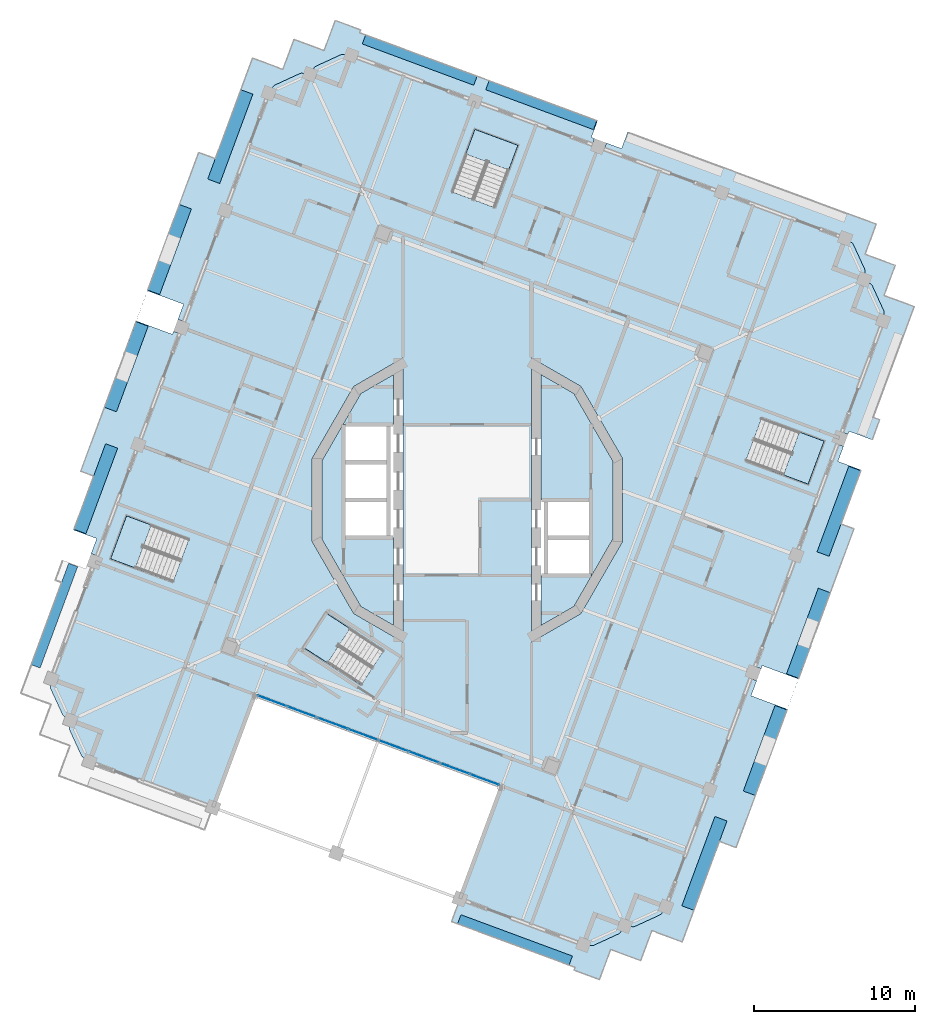
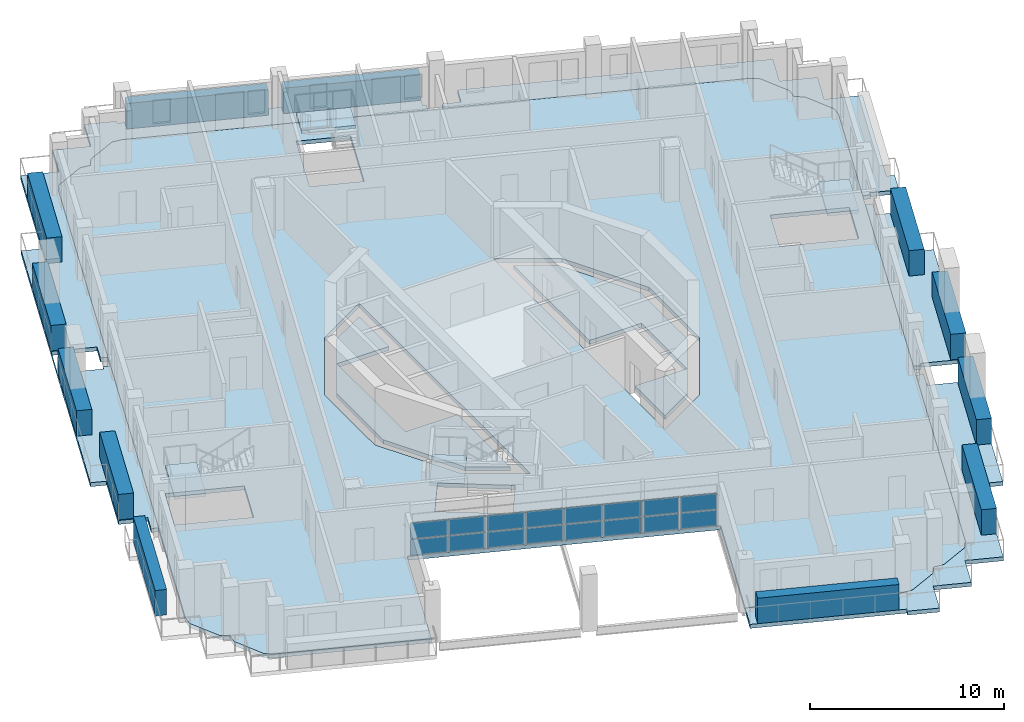
# One storey, part 4 of 19: 28 plates, 10 slabs, 5 elements without a shape of their own.
"""IFC4 building model written with IfcOpenShell, lengths in metres."""

from ifc_helpers import new_model, si_unit, direction, frame, origin, origin_2d, place, context, subcontext, project, spatial, polyline, rectangle, outline, extrude, material, layer, layer_set, type_object, element, aggregate, save


model = new_model("IFC4")

# Units and contexts
model_context = context("Model", 3, precision=1e-05, world=origin(), true_north=direction((0.0, 1.0)))
body_context = subcontext(model_context, "Body", "Model", "MODEL_VIEW")
ifc_project = project(units=[si_unit("LENGTHUNIT", "METRE"), si_unit("AREAUNIT", "SQUARE_METRE"), si_unit("VOLUMEUNIT", "CUBIC_METRE"), si_unit("PLANEANGLEUNIT", "RADIAN"), si_unit("MASSUNIT", "GRAM", prefix="KILO")], contexts=[model_context])

# Site, building, storey
site_placement = place(None, origin())
site = spatial("IfcSite", under=ifc_project, at=site_placement, CompositionType="ELEMENT")
building_placement = place(site_placement, origin())
building = spatial("IfcBuilding", under=site, at=building_placement, Name="Cantera Rosa Tower", CompositionType="ELEMENT")
storey_placement = place(building_placement, frame((0.0, 0.0, 324.10009765625)))
storey = spatial("IfcBuildingStorey", under=building, at=storey_placement, Name="L72", CompositionType="ELEMENT", Elevation=324.10009765625)

# Slabs
ifc_material_1 = material(Name="Concrete C35/45", Category="concrete")
ifc_layer_1 = layer(ifc_material_1, 0.25)
ifc_layer_set_1 = layer_set([ifc_layer_1], Name="COMPOSITE FLOOR SLAB 250 C35/45")
slab_type_1 = type_object("IfcSlabType", Name="COMPOSITE FLOOR SLAB 250 C35/45", PredefinedType="FLOOR", material=ifc_layer_set_1)
slab_1_placement = place(storey_placement, frame((0.0, 0.0, -0.25)))
element("IfcSlab", 1, at=slab_1_placement, inside=storey, type_object=slab_type_1, Name="SLAB L72 floor 1", PredefinedType="FLOOR", context=body_context, shape_type="SweptSolid", body=[
    extrude(outline(polyline([(-7.699951171875, -2.35009765625), (-4.60009765625, -2.35009765625), (-4.60009765625, -7.804931640625), (-6.6318359375, -6.6318359375), (-9.059326171875, -2.427490234375), (-9.059326171875, 2.427490234375), (-6.6318359375, 6.6318359375), (-4.60009765625, 7.804931640625), (-4.60009765625, 4.699951171875), (-7.699951171875, 4.699951171875), (-7.699951171875, 2.35009765625), (-7.699951171875, 0.0), (-7.699951171875, -2.35009765625)])), origin(), (0.0, 0.0, 1.0), 0.25),
])
slab_2_placement = place(storey_placement, frame((0.0, 0.0, -0.25)))
element("IfcSlab", 2, at=slab_2_placement, inside=storey, type_object=slab_type_1, Name="SLAB L72 floor 2", PredefinedType="FLOOR", context=body_context, shape_type="SweptSolid", body=[
    extrude(outline(polyline([(-0.45947265625, -24.838134765625), (2.146728515625, -17.805419921875), (-13.2314453125, -12.106689453125), (-15.83740234375, -19.139404296875), (-23.526611328125, -16.2900390625), (-23.919677734375, -16.031494140625), (-23.944091796875, -16.014892578125), (-23.966552734375, -15.99609375), (-23.987060546875, -15.974853515625), (-24.005615234375, -15.951904296875), (-24.021484375, -15.92724609375), (-24.03515625, -15.901123046875), (-24.743408203125, -14.35888671875), (-24.75439453125, -14.331787109375), (-24.7626953125, -14.303466796875), (-24.76806640625, -14.2744140625), (-24.7705078125, -14.2451171875), (-24.770263671875, -14.2158203125), (-24.76708984375, -14.186279296875), (-24.706787109375, -13.7197265625), (-25.10009765625, -13.461181640625), (-25.12451171875, -13.444580078125), (-25.14697265625, -13.42578125), (-25.16748046875, -13.404541015625), (-25.18603515625, -13.381591796875), (-25.201904296875, -13.35693359375), (-25.215576171875, -13.330810546875), (-25.923828125, -11.788818359375), (-25.934814453125, -11.76123046875), (-25.943115234375, -11.733154296875), (-25.948486328125, -11.7041015625), (-25.950927734375, -11.6748046875), (-25.95068359375, -11.6455078125), (-25.947509765625, -11.6162109375), (-25.88720703125, -11.1494140625), (-12.733154296875, 24.347412109375), (-12.370361328125, 25.32666015625), (-12.11181640625, 25.7197265625), (-12.09521484375, 25.744140625), (-12.076171875, 25.7666015625), (-12.05517578125, 25.787353515625), (-12.0322265625, 25.8056640625), (-12.007568359375, 25.82177734375), (-11.9814453125, 25.835205078125), (-10.439208984375, 26.543701171875), (-10.411865234375, 26.554443359375), (-10.383544921875, 26.562744140625), (-10.354736328125, 26.568115234375), (-10.325439453125, 26.57080078125), (-10.2958984375, 26.5703125), (-10.2666015625, 26.567138671875), (-9.800048828125, 26.507080078125), (-9.54150390625, 26.900146484375), (-9.52490234375, 26.924560546875), (-9.505859375, 26.947021484375), (-9.48486328125, 26.9677734375), (-9.4619140625, 26.986083984375), (-9.437255859375, 27.002197265625), (-9.4111328125, 27.015625), (-7.868896484375, 27.72412109375), (-7.841552734375, 27.735107421875), (-7.813232421875, 27.7431640625), (-7.784423828125, 27.74853515625), (-7.7548828125, 27.751220703125), (-7.7255859375, 27.750732421875), (-7.6962890625, 27.74755859375), (-7.2294921875, 27.6875), (-6.25048828125, 27.32470703125), (23.526611328125, 16.2900390625), (23.919677734375, 16.031494140625), (23.944091796875, 16.014892578125), (23.966552734375, 15.99609375), (23.987060546875, 15.974853515625), (24.005615234375, 15.951904296875), (24.021484375, 15.92724609375), (24.03515625, 15.901123046875), (24.743408203125, 14.35888671875), (24.75439453125, 14.331787109375), (24.7626953125, 14.303466796875), (24.76806640625, 14.2744140625), (24.7705078125, 14.2451171875), (24.770263671875, 14.2158203125), (24.76708984375, 14.186279296875), (24.706787109375, 13.7197265625), (25.10009765625, 13.461181640625), (25.12451171875, 13.444580078125), (25.14697265625, 13.42578125), (25.16748046875, 13.404541015625), (25.18603515625, 13.381591796875), (25.201904296875, 13.35693359375), (25.215576171875, 13.330810546875), (25.923828125, 11.788818359375), (25.934814453125, 11.76123046875), (25.943115234375, 11.733154296875), (25.948486328125, 11.7041015625), (25.950927734375, 11.6748046875), (25.95068359375, 11.6455078125), (25.947509765625, 11.6162109375), (25.88720703125, 11.1494140625), (12.733154296875, -24.347412109375), (12.370361328125, -25.32666015625), (12.11181640625, -25.7197265625), (12.09521484375, -25.744140625), (12.076171875, -25.7666015625), (12.05517578125, -25.787353515625), (12.0322265625, -25.8056640625), (12.007568359375, -25.82177734375), (11.9814453125, -25.835205078125), (10.439208984375, -26.543701171875), (10.411865234375, -26.554443359375), (10.383544921875, -26.562744140625), (10.354736328125, -26.568115234375), (10.325439453125, -26.57080078125), (10.2958984375, -26.5703125), (10.2666015625, -26.567138671875), (9.800048828125, -26.507080078125), (9.54150390625, -26.900146484375), (9.52490234375, -26.924560546875), (9.505859375, -26.947021484375), (9.48486328125, -26.9677734375), (9.4619140625, -26.986083984375), (9.437255859375, -27.002197265625), (9.4111328125, -27.015625), (7.868896484375, -27.72412109375), (7.841552734375, -27.735107421875), (7.813232421875, -27.7431640625), (7.784423828125, -27.74853515625), (7.7548828125, -27.751220703125), (7.7255859375, -27.750732421875), (7.6962890625, -27.74755859375), (7.2294921875, -27.6875), (6.25048828125, -27.32470703125), (-0.45947265625, -24.838134765625)]), holes=[polyline([(-5.2158203125, -9.368408203125), (-8.581298828125, -7.1826171875), (-9.97021484375, -9.3212890625), (-6.6044921875, -11.507080078125), (-5.2158203125, -9.368408203125)]), polyline([(-17.335693359375, -2.427490234375), (-21.2158203125, -0.989501953125), (-22.206298828125, -3.662109375), (-18.325927734375, -5.099853515625), (-17.335693359375, -2.427490234375)]), polyline([(-7.071044921875, 7.071044921875), (-9.6591796875, 2.588134765625), (-9.6591796875, -2.588134765625), (-7.071044921875, -7.071044921875), (-4.0, -8.843994140625), (-4.0, 8.843994140625), (-7.071044921875, 7.071044921875)]), polyline([(7.071044921875, -7.071044921875), (9.6591796875, -2.588134765625), (9.6591796875, 2.588134765625), (7.071044921875, 7.071044921875), (4.0, 8.843994140625), (4.0, -8.843994140625), (7.071044921875, -7.071044921875)]), polyline([(21.2158203125, 0.989501953125), (22.206298828125, 3.662109375), (18.325927734375, 5.099853515625), (17.335693359375, 2.427490234375), (21.2158203125, 0.989501953125)]), polyline([(1.70654296875, 18.203369140625), (3.14453125, 22.08349609375), (0.47216796875, 23.07373046875), (-0.9658203125, 19.193603515625), (1.70654296875, 18.203369140625)])]), origin(), (0.0, 0.0, 1.0), 0.25),
])
slab_3_placement = place(storey_placement, frame((0.0, 0.0, -0.25)))
element("IfcSlab", 3, at=slab_3_placement, inside=storey, type_object=slab_type_1, Name="SLAB L72 floor 3", PredefinedType="FLOOR", context=body_context, shape_type="SweptSolid", body=[
    extrude(outline(polyline([(7.699951171875, -2.35009765625), (7.699951171875, 0.0), (4.60009765625, 0.0), (4.60009765625, 7.804931640625), (6.6318359375, 6.6318359375), (9.059326171875, 2.427490234375), (9.059326171875, -2.427490234375), (6.6318359375, -6.6318359375), (4.60009765625, -7.804931640625), (4.60009765625, -4.699951171875), (7.699951171875, -4.699951171875), (7.699951171875, -2.35009765625)])), origin(), (0.0, 0.0, 1.0), 0.25),
])

# Curtain wall, plates
ifc_material_2 = material(Name="Aluminium frame with clear glass", Category="aluminium")
curtain_wall_type = type_object("IfcCurtainWallType", Name="CW1 TERRACE POCKET GLAZING", PredefinedType="NOTDEFINED", material=ifc_material_2)
curtain_wall_placement = place(storey_placement, origin())
curtain_wall = element("IfcCurtainWall", 4, at=curtain_wall_placement, inside=storey, type_object=curtain_wall_type, Name="CW1 CW1", PredefinedType="NOTDEFINED")
ifc_material_3 = material(Name="Aluminium frame with clear glass", Category="aluminium")
ifc_layer_2 = layer(ifc_material_3, 0.028076171875)
ifc_layer_set_2 = layer_set([ifc_layer_2], Name="CW-PANEL POCKET")
plate_type_1 = type_object("IfcPlateType", Name="CW-PANEL POCKET", PredefinedType="CURTAIN_PANEL", material=ifc_layer_set_2)
plate_1_placement = place(storey_placement, frame((-12.153564453125, -12.506103515625, 0.059814453125), z_axis=(0.0, 0.0, 1.0), x_axis=(0.937686936924, -0.347481234489, 0.0)))
plate_1 = element("IfcPlate", 5, at=plate_1_placement, type_object=plate_type_1, Name="CW1 panel 1.1", PredefinedType="CURTAIN_PANEL", context=body_context, shape_type="SweptSolid", body=[
    extrude(rectangle(XDim=1.9287109375, YDim=0.028076171875, at=origin_2d()), origin(), (0.0, 0.0, 1.0), 0.97900390625),
])
plate_2_placement = place(storey_placement, frame((-12.153564453125, -12.506103515625, 1.098876953125), z_axis=(0.0, 0.0, 1.0), x_axis=(0.937686936924, -0.347481234489, 0.0)))
plate_2 = element("IfcPlate", 6, at=plate_2_placement, type_object=plate_type_1, Name="CW1 panel 1.2", PredefinedType="CURTAIN_PANEL", context=body_context, shape_type="SweptSolid", body=[
    extrude(rectangle(XDim=1.9287109375, YDim=0.028076171875, at=origin_2d()), origin(), (0.0, 0.0, 1.0), 0.97900390625),
])
plate_3_placement = place(storey_placement, frame((-10.274658203125, -13.202392578125, 0.059814453125), z_axis=(0.0, 0.0, 1.0), x_axis=(0.937686936924, -0.347481234489, 0.0)))
plate_3 = element("IfcPlate", 7, at=plate_3_placement, type_object=plate_type_1, Name="CW1 panel 2.1", PredefinedType="CURTAIN_PANEL", context=body_context, shape_type="SweptSolid", body=[
    extrude(rectangle(XDim=1.958740234375, YDim=0.028076171875, at=origin_2d()), origin(), (0.0, 0.0, 1.0), 0.97900390625),
])
plate_4_placement = place(storey_placement, frame((-10.274658203125, -13.202392578125, 1.098876953125), z_axis=(0.0, 0.0, 1.0), x_axis=(0.937686936924, -0.347481234489, 0.0)))
plate_4 = element("IfcPlate", 8, at=plate_4_placement, type_object=plate_type_1, Name="CW1 panel 2.2", PredefinedType="CURTAIN_PANEL", context=body_context, shape_type="SweptSolid", body=[
    extrude(rectangle(XDim=1.958740234375, YDim=0.028076171875, at=origin_2d()), origin(), (0.0, 0.0, 1.0), 0.97900390625),
])
plate_5_placement = place(storey_placement, frame((-8.3818359375, -13.90380859375, 0.059814453125), z_axis=(0.0, 0.0, 1.0), x_axis=(0.937686936924, -0.347481234489, 0.0)))
plate_5 = element("IfcPlate", 9, at=plate_5_placement, type_object=plate_type_1, Name="CW1 panel 3.1", PredefinedType="CURTAIN_PANEL", context=body_context, shape_type="SweptSolid", body=[
    extrude(rectangle(XDim=1.958740234375, YDim=0.028076171875, at=origin_2d()), origin(), (0.0, 0.0, 1.0), 0.97900390625),
])
plate_6_placement = place(storey_placement, frame((-8.3818359375, -13.90380859375, 1.098876953125), z_axis=(0.0, 0.0, 1.0), x_axis=(0.937686936924, -0.347481234489, 0.0)))
plate_6 = element("IfcPlate", 10, at=plate_6_placement, type_object=plate_type_1, Name="CW1 panel 3.2", PredefinedType="CURTAIN_PANEL", context=body_context, shape_type="SweptSolid", body=[
    extrude(rectangle(XDim=1.958740234375, YDim=0.028076171875, at=origin_2d()), origin(), (0.0, 0.0, 1.0), 0.97900390625),
])
plate_7_placement = place(storey_placement, frame((-6.48876953125, -14.60546875, 0.059814453125), z_axis=(0.0, 0.0, 1.0), x_axis=(0.937686936924, -0.347481234489, 0.0)))
plate_7 = element("IfcPlate", 11, at=plate_7_placement, type_object=plate_type_1, Name="CW1 panel 4.1", PredefinedType="CURTAIN_PANEL", context=body_context, shape_type="SweptSolid", body=[
    extrude(rectangle(XDim=1.958740234375, YDim=0.028076171875, at=origin_2d()), origin(), (0.0, 0.0, 1.0), 0.97900390625),
])
plate_8_placement = place(storey_placement, frame((-6.48876953125, -14.60546875, 1.098876953125), z_axis=(0.0, 0.0, 1.0), x_axis=(0.937686936924, -0.347481234489, 0.0)))
plate_8 = element("IfcPlate", 12, at=plate_8_placement, type_object=plate_type_1, Name="CW1 panel 4.2", PredefinedType="CURTAIN_PANEL", context=body_context, shape_type="SweptSolid", body=[
    extrude(rectangle(XDim=1.958740234375, YDim=0.028076171875, at=origin_2d()), origin(), (0.0, 0.0, 1.0), 0.97900390625),
])
plate_9_placement = place(storey_placement, frame((-4.595947265625, -15.306884765625, 0.059814453125), z_axis=(0.0, 0.0, 1.0), x_axis=(0.937686936924, -0.347481234489, 0.0)))
plate_9 = element("IfcPlate", 13, at=plate_9_placement, type_object=plate_type_1, Name="CW1 panel 5.1", PredefinedType="CURTAIN_PANEL", context=body_context, shape_type="SweptSolid", body=[
    extrude(rectangle(XDim=1.958740234375, YDim=0.028076171875, at=origin_2d()), origin(), (0.0, 0.0, 1.0), 0.97900390625),
])
plate_10_placement = place(storey_placement, frame((-4.595947265625, -15.306884765625, 1.098876953125), z_axis=(0.0, 0.0, 1.0), x_axis=(0.937686936924, -0.347481234489, 0.0)))
plate_10 = element("IfcPlate", 14, at=plate_10_placement, type_object=plate_type_1, Name="CW1 panel 5.2", PredefinedType="CURTAIN_PANEL", context=body_context, shape_type="SweptSolid", body=[
    extrude(rectangle(XDim=1.958740234375, YDim=0.028076171875, at=origin_2d()), origin(), (0.0, 0.0, 1.0), 0.97900390625),
])
plate_11_placement = place(storey_placement, frame((-2.702880859375, -16.00830078125, 0.059814453125), z_axis=(0.0, 0.0, 1.0), x_axis=(0.937686936924, -0.347481234489, 0.0)))
plate_11 = element("IfcPlate", 15, at=plate_11_placement, type_object=plate_type_1, Name="CW1 panel 6.1", PredefinedType="CURTAIN_PANEL", context=body_context, shape_type="SweptSolid", body=[
    extrude(rectangle(XDim=1.958740234375, YDim=0.028076171875, at=origin_2d()), origin(), (0.0, 0.0, 1.0), 0.97900390625),
])
plate_12_placement = place(storey_placement, frame((-2.702880859375, -16.00830078125, 1.098876953125), z_axis=(0.0, 0.0, 1.0), x_axis=(0.937686936924, -0.347481234489, 0.0)))
plate_12 = element("IfcPlate", 16, at=plate_12_placement, type_object=plate_type_1, Name="CW1 panel 6.2", PredefinedType="CURTAIN_PANEL", context=body_context, shape_type="SweptSolid", body=[
    extrude(rectangle(XDim=1.958740234375, YDim=0.028076171875, at=origin_2d()), origin(), (0.0, 0.0, 1.0), 0.97900390625),
])
plate_13_placement = place(storey_placement, frame((-0.81005859375, -16.709716796875, 0.059814453125), z_axis=(0.0, 0.0, 1.0), x_axis=(0.937686936924, -0.347481234489, 0.0)))
plate_13 = element("IfcPlate", 17, at=plate_13_placement, type_object=plate_type_1, Name="CW1 panel 7.1", PredefinedType="CURTAIN_PANEL", context=body_context, shape_type="SweptSolid", body=[
    extrude(rectangle(XDim=1.958740234375, YDim=0.028076171875, at=origin_2d()), origin(), (0.0, 0.0, 1.0), 0.97900390625),
])
plate_14_placement = place(storey_placement, frame((-0.81005859375, -16.709716796875, 1.098876953125), z_axis=(0.0, 0.0, 1.0), x_axis=(0.937686936924, -0.347481234489, 0.0)))
plate_14 = element("IfcPlate", 18, at=plate_14_placement, type_object=plate_type_1, Name="CW1 panel 7.2", PredefinedType="CURTAIN_PANEL", context=body_context, shape_type="SweptSolid", body=[
    extrude(rectangle(XDim=1.958740234375, YDim=0.028076171875, at=origin_2d()), origin(), (0.0, 0.0, 1.0), 0.97900390625),
])
plate_15_placement = place(storey_placement, frame((1.06884765625, -17.406005859375, 0.059814453125), z_axis=(0.0, 0.0, 1.0), x_axis=(0.937686936924, -0.347481234489, 0.0)))
plate_15 = element("IfcPlate", 19, at=plate_15_placement, type_object=plate_type_1, Name="CW1 panel 8.1", PredefinedType="CURTAIN_PANEL", context=body_context, shape_type="SweptSolid", body=[
    extrude(rectangle(XDim=1.9287109375, YDim=0.028076171875, at=origin_2d()), origin(), (0.0, 0.0, 1.0), 0.97900390625),
])
plate_16_placement = place(storey_placement, frame((1.06884765625, -17.406005859375, 1.098876953125), z_axis=(0.0, 0.0, 1.0), x_axis=(0.937686936924, -0.347481234489, 0.0)))
plate_16 = element("IfcPlate", 20, at=plate_16_placement, type_object=plate_type_1, Name="CW1 panel 8.2", PredefinedType="CURTAIN_PANEL", context=body_context, shape_type="SweptSolid", body=[
    extrude(rectangle(XDim=1.9287109375, YDim=0.028076171875, at=origin_2d()), origin(), (0.0, 0.0, 1.0), 0.97900390625),
])
aggregate(curtain_wall, [plate_1, plate_2, plate_3, plate_4, plate_5, plate_6, plate_7, plate_8, plate_9, plate_10, plate_11, plate_12, plate_13, plate_14, plate_15, plate_16])

# Slabs
ifc_material_4 = material(Name="Concrete C35/45", Category="concrete")
ifc_layer_3 = layer(ifc_material_4, 0.25)
ifc_layer_set_3 = layer_set([ifc_layer_3], Name="LOGGIA SLAB 250 C35/45")
slab_type_2 = type_object("IfcSlabType", Name="LOGGIA SLAB 250 C35/45", PredefinedType="FLOOR", material=ifc_layer_set_3)
slab_4_placement = place(storey_placement, frame((0.0, 0.0, -0.25)))
element("IfcSlab", 21, at=slab_4_placement, inside=storey, type_object=slab_type_2, Name="LOGGIA SLAB L72 2", PredefinedType="FLOOR", context=body_context, shape_type="SweptSolid", body=[
    extrude(outline(polyline([(-21.37109375, 9.07568359375), (-21.38330078125, 9.080078125), (-16.729736328125, 21.637451171875), (-15.69287109375, 21.253173828125), (-13.373779296875, 27.511474609375), (-11.779541015625, 26.920654296875), (-11.7841796875, 26.908447265625), (-11.490478515625, 26.799560546875), (-11.381591796875, 27.09326171875), (-10.795654296875, 28.6748046875), (-9.2138671875, 28.0888671875), (-8.920166015625, 27.97998046875), (-8.22509765625, 29.85546875), (-6.6435546875, 29.269287109375), (-6.70849609375, 29.093994140625), (-0.42578125, 26.765869140625), (2.38720703125, 25.723388671875), (7.26318359375, 23.91650390625), (8.10693359375, 23.603759765625), (7.724853515625, 22.572265625), (7.912353515625, 22.502685546875), (7.7734375, 22.127685546875), (-6.25048828125, 27.32470703125), (-7.2294921875, 27.6875), (-7.6962890625, 27.74755859375), (-7.7255859375, 27.750732421875), (-7.7548828125, 27.751220703125), (-7.784423828125, 27.74853515625), (-7.813232421875, 27.7431640625), (-7.841552734375, 27.735107421875), (-7.868896484375, 27.72412109375), (-9.4111328125, 27.015625), (-9.437255859375, 27.002197265625), (-9.4619140625, 26.986083984375), (-9.48486328125, 26.9677734375), (-9.505859375, 26.947021484375), (-9.52490234375, 26.924560546875), (-9.54150390625, 26.900146484375), (-9.800048828125, 26.507080078125), (-10.2666015625, 26.567138671875), (-10.2958984375, 26.5703125), (-10.325439453125, 26.57080078125), (-10.354736328125, 26.568115234375), (-10.383544921875, 26.562744140625), (-10.411865234375, 26.554443359375), (-10.439208984375, 26.543701171875), (-11.9814453125, 25.835205078125), (-12.007568359375, 25.82177734375), (-12.0322265625, 25.8056640625), (-12.05517578125, 25.787353515625), (-12.076171875, 25.7666015625), (-12.09521484375, 25.744140625), (-12.11181640625, 25.7197265625), (-12.370361328125, 25.32666015625), (-12.733154296875, 24.347412109375), (-17.63818359375, 11.111328125), (-18.01318359375, 11.250244140625), (-17.665771484375, 12.18798828125), (-19.916259765625, 13.02197265625), (-20.611083984375, 11.146484375), (-18.360595703125, 10.3125), (-18.291259765625, 10.5), (-17.916015625, 10.361083984375), (-23.044921875, -3.47900390625), (-23.419921875, -3.340087890625), (-23.072509765625, -2.40234375), (-24.51220703125, -1.868896484375), (-23.265869140625, 1.494384765625), (-24.0703125, 1.79248046875), (-21.37109375, 9.07568359375)])), origin(), (0.0, 0.0, 1.0), 0.25),
])
slab_5_placement = place(storey_placement, frame((0.0, 0.0, -0.25)))
element("IfcSlab", 22, at=slab_5_placement, inside=storey, type_object=slab_type_2, Name="LOGGIA SLAB L72 3", PredefinedType="FLOOR", context=body_context, shape_type="SweptSolid", body=[
    extrude(outline(polyline([(13.373779296875, -27.511474609375), (11.779541015625, -26.920654296875), (11.7841796875, -26.908447265625), (11.490478515625, -26.799560546875), (11.381591796875, -27.09326171875), (10.795654296875, -28.6748046875), (9.2138671875, -28.0888671875), (8.920166015625, -27.97998046875), (8.22509765625, -29.85546875), (6.6435546875, -29.269287109375), (6.70849609375, -29.093994140625), (0.42578125, -26.765869140625), (-0.980712890625, -26.24462890625), (-0.45947265625, -24.838134765625), (6.25048828125, -27.32470703125), (7.2294921875, -27.6875), (7.6962890625, -27.74755859375), (7.7255859375, -27.750732421875), (7.7548828125, -27.751220703125), (7.784423828125, -27.74853515625), (7.813232421875, -27.7431640625), (7.841552734375, -27.735107421875), (7.868896484375, -27.72412109375), (9.4111328125, -27.015625), (9.437255859375, -27.002197265625), (9.4619140625, -26.986083984375), (9.48486328125, -26.9677734375), (9.505859375, -26.947021484375), (9.52490234375, -26.924560546875), (9.54150390625, -26.900146484375), (9.800048828125, -26.507080078125), (10.2666015625, -26.567138671875), (10.2958984375, -26.5703125), (10.325439453125, -26.57080078125), (10.354736328125, -26.568115234375), (10.383544921875, -26.562744140625), (10.411865234375, -26.554443359375), (10.439208984375, -26.543701171875), (11.9814453125, -25.835205078125), (12.007568359375, -25.82177734375), (12.0322265625, -25.8056640625), (12.05517578125, -25.787353515625), (12.076171875, -25.7666015625), (12.09521484375, -25.744140625), (12.11181640625, -25.7197265625), (12.370361328125, -25.32666015625), (12.733154296875, -24.347412109375), (17.63818359375, -11.111328125), (18.01318359375, -11.250244140625), (17.665771484375, -12.18798828125), (19.916259765625, -13.02197265625), (20.611083984375, -11.146484375), (18.360595703125, -10.3125), (18.291259765625, -10.5), (17.916015625, -10.361083984375), (23.044921875, 3.47900390625), (23.419921875, 3.340087890625), (23.072509765625, 2.40234375), (24.51220703125, 1.868896484375), (23.265869140625, -1.494384765625), (24.0703125, -1.79248046875), (21.37109375, -9.07568359375), (21.38330078125, -9.080078125), (16.729736328125, -21.637451171875), (15.69287109375, -21.253173828125), (13.373779296875, -27.511474609375)])), origin(), (0.0, 0.0, 1.0), 0.25),
])
slab_6_placement = place(storey_placement, frame((0.0, 0.0, -0.25)))
element("IfcSlab", 23, at=slab_6_placement, inside=storey, type_object=slab_type_2, Name="LOGGIA SLAB L72 4", PredefinedType="FLOOR", context=body_context, shape_type="SweptSolid", body=[
    extrude(outline(polyline([(17.76513671875, 20.024658203125), (24.047607421875, 17.696533203125), (25.454345703125, 17.17529296875), (24.93310546875, 15.768798828125), (24.75927734375, 15.300048828125), (25.22802734375, 15.126220703125), (26.634765625, 14.60498046875), (26.11328125, 13.198486328125), (25.939697265625, 12.729736328125), (26.408447265625, 12.555908203125), (26.410400390625, 12.561279296875), (27.822509765625, 12.0380859375), (25.268310546875, 5.145751953125), (25.671142578125, 4.996337890625), (25.20703125, 3.744384765625), (23.767578125, 4.27783203125), (23.697998046875, 4.09033203125), (23.322998046875, 4.229248046875), (25.88720703125, 11.1494140625), (25.947509765625, 11.6162109375), (25.95068359375, 11.6455078125), (25.950927734375, 11.6748046875), (25.948486328125, 11.7041015625), (25.943115234375, 11.733154296875), (25.934814453125, 11.76123046875), (25.923828125, 11.788818359375), (25.215576171875, 13.330810546875), (25.201904296875, 13.35693359375), (25.18603515625, 13.381591796875), (25.16748046875, 13.404541015625), (25.14697265625, 13.42578125), (25.12451171875, 13.444580078125), (25.10009765625, 13.461181640625), (24.706787109375, 13.7197265625), (24.76708984375, 14.186279296875), (24.770263671875, 14.2158203125), (24.7705078125, 14.2451171875), (24.76806640625, 14.2744140625), (24.7626953125, 14.303466796875), (24.75439453125, 14.331787109375), (24.743408203125, 14.35888671875), (24.03515625, 15.901123046875), (24.021484375, 15.92724609375), (24.005615234375, 15.951904296875), (23.987060546875, 15.974853515625), (23.966552734375, 15.99609375), (23.944091796875, 16.014892578125), (23.919677734375, 16.031494140625), (23.526611328125, 16.2900390625), (8.5234375, 21.849853515625), (8.66259765625, 22.224853515625), (9.60009765625, 21.87744140625), (9.982421875, 22.90869140625), (10.076171875, 22.8740234375), (14.9521484375, 21.067138671875), (17.76513671875, 20.024658203125)])), origin(), (0.0, 0.0, 1.0), 0.25),
])

# Plates
ifc_material_5 = material(Name="Cantera stone planter with soil", Category="masonry")
plate_type_2 = type_object("IfcPlateType", Name="PLANTER 600", PredefinedType="USERDEFINED", material=ifc_material_5)
plate_17_placement = place(storey_placement, frame((4.603759765625, 24.58203125, -0.000244140625), z_axis=(0.0, 0.0, 1.0), x_axis=(-0.937686936924, 0.347481234489, 0.0)))
element("IfcPlate", 24, at=plate_17_placement, inside=storey, type_object=plate_type_2, Name="PLANTER L72-03", ObjectType="PLANTER", PredefinedType="USERDEFINED", context=body_context, shape_type="SweptSolid", body=[
    extrude(rectangle(XDim=7.14990234375, YDim=0.60009765625, at=origin_2d()), origin(), (0.0, 0.0, 1.0), 1.60009765625),
])
plate_18_placement = place(storey_placement, frame((-2.968017578125, 27.387939453125, -0.000244140625), z_axis=(0.0, 0.0, 1.0), x_axis=(-0.937686936924, 0.347481234489, 0.0)))
element("IfcPlate", 25, at=plate_18_placement, inside=storey, type_object=plate_type_2, Name="PLANTER L72-04", ObjectType="PLANTER", PredefinedType="USERDEFINED", context=body_context, shape_type="SweptSolid", body=[
    extrude(rectangle(XDim=7.39990234375, YDim=0.60009765625, at=origin_2d()), origin(), (0.0, 0.0, 1.0), 1.60009765625),
])
plate_19_placement = place(storey_placement, frame((-25.709716796875, -7.199951171875, -0.000244140625), z_axis=(0.0, 0.0, 1.0), x_axis=(-0.347481234489, -0.937686936924, 0.0)))
element("IfcPlate", 26, at=plate_19_placement, inside=storey, type_object=plate_type_2, Name="PLANTER L72-09", ObjectType="PLANTER", PredefinedType="USERDEFINED", context=body_context, shape_type="SweptSolid", body=[
    extrude(rectangle(XDim=6.72998046875, YDim=0.60009765625, at=origin_2d()), origin(), (0.0, 0.0, 1.0), 1.60009765625),
])
plate_20_placement = place(storey_placement, frame((2.968017578125, -27.387939453125, -0.000244140625), z_axis=(0.0, 0.0, 1.0), x_axis=(0.937686936924, -0.347481234489, 0.0)))
element("IfcPlate", 27, at=plate_20_placement, inside=storey, type_object=plate_type_2, Name="PLANTER L72-13", ObjectType="PLANTER", PredefinedType="USERDEFINED", context=body_context, shape_type="SweptSolid", body=[
    extrude(rectangle(XDim=7.39990234375, YDim=0.60009765625, at=origin_2d()), origin(), (0.0, 0.0, 1.0), 1.60009765625),
])
ifc_material_6 = material(Name="Cantera stone planter with soil", Category="masonry")
plate_type_3 = type_object("IfcPlateType", Name="PLANTER 800", PredefinedType="USERDEFINED", material=ifc_material_6)
plate_21_placement = place(storey_placement, frame((-14.758544921875, 22.623046875, -0.000244140625), z_axis=(0.0, 0.0, 1.0), x_axis=(-0.347481234489, -0.937686936924, 0.0)))
element("IfcPlate", 28, at=plate_21_placement, inside=storey, type_object=plate_type_3, Name="PLANTER L72-05", ObjectType="PLANTER", PredefinedType="USERDEFINED", context=body_context, shape_type="SweptSolid", body=[
    extrude(rectangle(XDim=5.929931640625, YDim=0.800048828125, at=origin_2d()), origin(), (0.0, 0.0, 1.0), 1.60009765625),
])
for number, where, z_axis, x_axis, name in (
    (29, (-18.54248046875, 15.594970703125, -0.000244140625), (0.0, 0.0, 1.0), (-0.347481234489, -0.937686936924, 0.0), "PLANTER L72-06"),
    (30, (-21.23388671875, 8.295166015625, -0.000244140625), (0.0, 0.0, 1.0), (-0.347481234489, -0.937686936924, 0.0), "PLANTER L72-07"),
    (31, (-23.1328125, 0.701904296875, -0.000244140625), (0.0, 0.0, 1.0), (-0.347481234489, -0.937686936924, 0.0), "PLANTER L72-08"),
):
    element("IfcPlate", number, at=place(storey_placement, frame(where, z_axis=z_axis, x_axis=x_axis)), inside=storey, type_object=plate_type_3, Name=name, ObjectType="PLANTER", PredefinedType="USERDEFINED", context=body_context, shape_type="SweptSolid", body=[
        extrude(rectangle(XDim=5.679931640625, YDim=0.800048828125, at=origin_2d()), origin(), (0.0, 0.0, 1.0), 1.60009765625),
    ])
plate_22_placement = place(storey_placement, frame((14.758544921875, -22.623046875, -0.000244140625), z_axis=(0.0, 0.0, 1.0), x_axis=(0.347481234489, 0.937686936924, 0.0)))
element("IfcPlate", 32, at=plate_22_placement, inside=storey, type_object=plate_type_3, Name="PLANTER L72-14", ObjectType="PLANTER", PredefinedType="USERDEFINED", context=body_context, shape_type="SweptSolid", body=[
    extrude(rectangle(XDim=5.929931640625, YDim=0.800048828125, at=origin_2d()), origin(), (0.0, 0.0, 1.0), 1.60009765625),
])
for number, where, z_axis, x_axis, name in (
    (33, (18.54248046875, -15.594970703125, -0.000244140625), (0.0, 0.0, 1.0), (0.347481234489, 0.937686936924, 0.0), "PLANTER L72-15"),
    (34, (21.23388671875, -8.295166015625, -0.000244140625), (0.0, 0.0, 1.0), (0.347481234489, 0.937686936924, 0.0), "PLANTER L72-16"),
    (35, (23.1328125, -0.701904296875, -0.000244140625), (0.0, 0.0, 1.0), (0.347481234489, 0.937686936924, 0.0), "PLANTER L72-17"),
):
    element("IfcPlate", number, at=place(storey_placement, frame(where, z_axis=z_axis, x_axis=x_axis)), inside=storey, type_object=plate_type_3, Name=name, ObjectType="PLANTER", PredefinedType="USERDEFINED", context=body_context, shape_type="SweptSolid", body=[
        extrude(rectangle(XDim=5.679931640625, YDim=0.800048828125, at=origin_2d()), origin(), (0.0, 0.0, 1.0), 1.60009765625),
    ])

# Stair, slab
ifc_material_7 = material(Name="Concrete C35/45", Category="concrete")
stair_type_1 = type_object("IfcStairType", Name="EXIT STAIR 1350 DOGLEG", PredefinedType="HALF_TURN_STAIR", material=ifc_material_7)
stair_1_placement = place(storey_placement, origin())
stair_1 = element("IfcStair", 36, at=stair_1_placement, inside=storey, type_object=stair_type_1, Name="L72 ST-61", PredefinedType="HALF_TURN_STAIR")
ifc_material_8 = material(Name="Concrete C35/45", Category="concrete")
ifc_layer_4 = layer(ifc_material_8, 0.199951171875)
ifc_layer_set_4 = layer_set([ifc_layer_4], Name="STAIR LANDING 200")
slab_type_3 = type_object("IfcSlabType", Name="STAIR LANDING 200", PredefinedType="LANDING", material=ifc_layer_set_4)
slab_7_placement = place(storey_placement, frame((0.0, 0.0, 1.599853515625)))
slab_7 = element("IfcSlab", 37, at=slab_7_placement, type_object=slab_type_3, Name="ST-61 landing 1", PredefinedType="LANDING", context=body_context, shape_type="SweptSolid", body=[
    extrude(outline(polyline([(19.67626953125, 1.56005859375), (21.2158203125, 0.989501953125), (22.206298828125, 3.661865234375), (20.66650390625, 4.232421875), (19.67626953125, 1.56005859375)])), origin(), (0.0, 0.0, 1.0), 0.199951171875),
])
aggregate(stair_1, [slab_7])

stair_2_placement = place(storey_placement, origin())
stair_2 = element("IfcStair", 38, at=stair_2_placement, inside=storey, type_object=stair_type_1, Name="L72 ST-62", PredefinedType="HALF_TURN_STAIR")
slab_8_placement = place(storey_placement, frame((0.0, 0.0, 1.599853515625)))
slab_8 = element("IfcSlab", 39, at=slab_8_placement, type_object=slab_type_3, Name="ST-62 landing 1", PredefinedType="LANDING", context=body_context, shape_type="SweptSolid", body=[
    extrude(outline(polyline([(2.573974609375, 20.543701171875), (3.14453125, 22.08349609375), (0.47216796875, 23.07373046875), (-0.098388671875, 21.5341796875), (2.573974609375, 20.543701171875)])), origin(), (0.0, 0.0, 1.0), 0.199951171875),
])
aggregate(stair_2, [slab_8])

stair_3_placement = place(storey_placement, origin())
stair_3 = element("IfcStair", 40, at=stair_3_placement, inside=storey, type_object=stair_type_1, Name="L72 ST-63", PredefinedType="HALF_TURN_STAIR")
slab_9_placement = place(storey_placement, frame((0.0, 0.0, 1.599853515625)))
slab_9 = element("IfcSlab", 41, at=slab_9_placement, type_object=slab_type_3, Name="ST-63 landing 1", PredefinedType="LANDING", context=body_context, shape_type="SweptSolid", body=[
    extrude(outline(polyline([(-19.67626953125, -1.56005859375), (-21.2158203125, -0.989501953125), (-22.206298828125, -3.661865234375), (-20.66650390625, -4.232421875), (-19.67626953125, -1.56005859375)])), origin(), (0.0, 0.0, 1.0), 0.199951171875),
])
aggregate(stair_3, [slab_9])

ifc_material_9 = material(Name="Concrete C35/45", Category="concrete")
stair_type_2 = type_object("IfcStairType", Name="EXIT STAIR 1200 DOGLEG", PredefinedType="HALF_TURN_STAIR", material=ifc_material_9)
stair_4_placement = place(storey_placement, origin())
stair_4 = element("IfcStair", 42, at=stair_4_placement, inside=storey, type_object=stair_type_2, Name="L72 ST-64", PredefinedType="HALF_TURN_STAIR")
slab_10_placement = place(storey_placement, frame((0.0, 0.0, 1.599853515625)))
slab_10 = element("IfcSlab", 43, at=slab_10_placement, type_object=slab_type_3, Name="ST-64 landing 1", PredefinedType="LANDING", context=body_context, shape_type="SweptSolid", body=[
    extrude(outline(polyline([(-7.30908203125, -8.009033203125), (-8.81201171875, -7.032958984375), (-10.20068359375, -9.171630859375), (-8.69775390625, -10.1474609375), (-7.30908203125, -8.009033203125)])), origin(), (0.0, 0.0, 1.0), 0.199951171875),
])
aggregate(stair_4, [slab_10])

save(model, "model.ifc")
